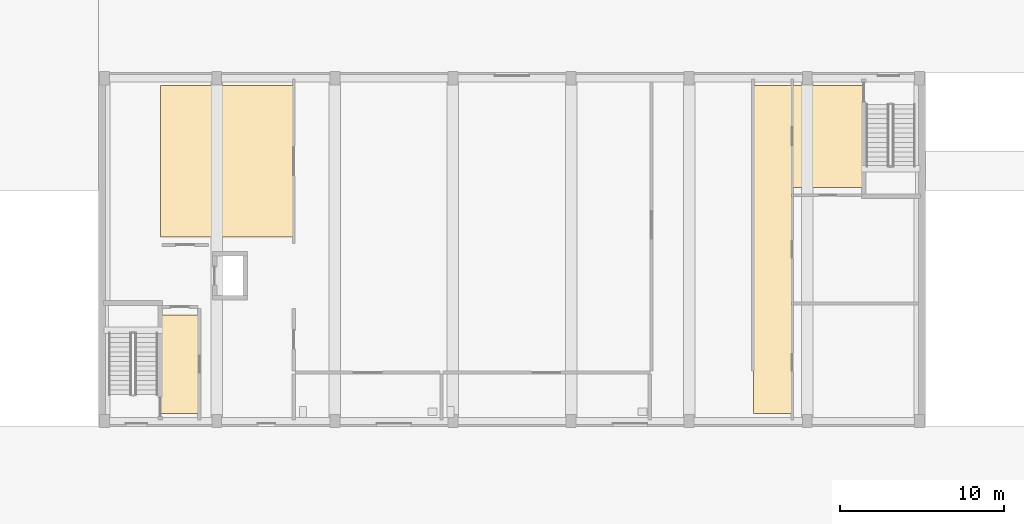
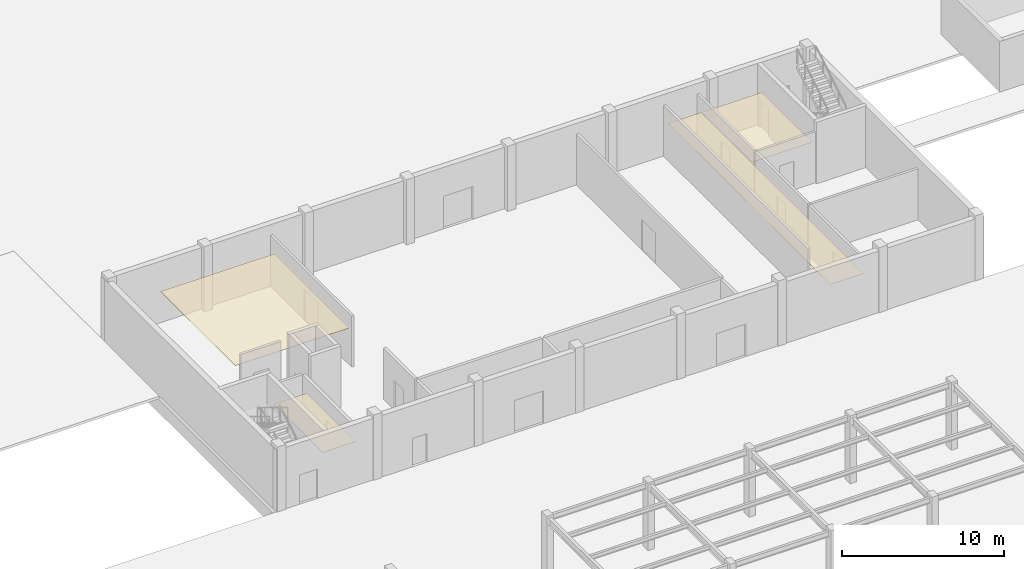
# One storey, part 66 of 85: 4 coverings.
"""IFC4 building model written with IfcOpenShell, lengths in metres."""

from ifc_helpers import new_model, si_unit, derived_unit, direction, frame, origin, place, context, subcontext, project, spatial, polyline, outline, extrude, material, layer, layer_set, type_object, element, save


model = new_model("IFC4")

# Units and contexts
model_context = context("Model", 3, precision=1e-05, world=origin(), true_north=direction((0.0, 1.0)))
body_context = subcontext(model_context, "Body", "Model", "MODEL_VIEW")
ifc_project = project(units=[si_unit("LENGTHUNIT", "METRE"), si_unit("AREAUNIT", "SQUARE_METRE"), si_unit("VOLUMEUNIT", "CUBIC_METRE"), si_unit("PLANEANGLEUNIT", "RADIAN"), si_unit("MASSUNIT", "GRAM", prefix="KILO"), derived_unit("THERMALTRANSMITTANCEUNIT", [(si_unit("MASSUNIT", "GRAM", prefix="KILO"), 1), (si_unit("TIMEUNIT", "SECOND"), -3), (si_unit("THERMODYNAMICTEMPERATUREUNIT", "KELVIN"), -1)])], contexts=[model_context])

# Site, building, storey
site_placement = place(None, origin())
site = spatial("IfcSite", under=ifc_project, at=site_placement, CompositionType="ELEMENT")
building_placement = place(site_placement, origin())
building = spatial("IfcBuilding", under=site, at=building_placement, Name="Ochrekiln Boulevard Commons", CompositionType="ELEMENT")
storey_placement = place(building_placement, origin())
storey = spatial("IfcBuildingStorey", under=building, at=storey_placement, Name="L00", CompositionType="ELEMENT", Elevation=0.0)

# Coverings
ifc_material = material(Name="Mineral-fibre acoustic ceiling tile")
ifc_layer = layer(ifc_material, 0.02490234375)
ifc_layer_set = layer_set([ifc_layer], Name="Mineral-fibre acoustic ceiling tile")
covering_type = type_object("IfcCoveringType", Name="COV-CEIL-AC", PredefinedType="CEILING", material=ifc_layer_set)
covering_1_placement = place(storey_placement, frame((0.0, 0.0, 2.64990234375)))
element("IfcCovering", 1, at=covering_1_placement, inside=storey, type_object=covering_type, Name="L00 Acoustic Corridor Ceiling 5", PredefinedType="CEILING", context=body_context, shape_type="SweptSolid", body=[
    extrude(outline(polyline([(61.3701171875, 36.800048828125), (63.72998046875, 36.800048828125), (63.72998046875, 42.820068359375), (61.3701171875, 42.820068359375), (61.3701171875, 36.800048828125)])), origin(), (0.0, 0.0, 1.0), 0.025146484375),
])
covering_2_placement = place(storey_placement, frame((0.0, 0.0, 2.64990234375)))
element("IfcCovering", 2, at=covering_2_placement, inside=storey, type_object=covering_type, Name="L00 Acoustic Corridor Ceiling 6", PredefinedType="CEILING", context=body_context, shape_type="SweptSolid", body=[
    extrude(outline(polyline([(61.3701171875, 47.580078125), (69.47998046875, 47.580078125), (69.47998046875, 56.800048828125), (61.3701171875, 56.800048828125), (61.3701171875, 47.580078125)])), origin(), (0.0, 0.0, 1.0), 0.025146484375),
])
covering_3_placement = place(storey_placement, frame((0.0, 0.0, 2.64990234375)))
element("IfcCovering", 3, at=covering_3_placement, inside=storey, type_object=covering_type, Name="L00 Acoustic Corridor Ceiling 7", PredefinedType="CEILING", context=body_context, shape_type="SweptSolid", body=[
    extrude(outline(polyline([(97.52001953125, 36.800048828125), (99.8798828125, 36.800048828125), (99.8798828125, 56.800048828125), (97.52001953125, 56.800048828125), (97.52001953125, 36.800048828125)])), origin(), (0.0, 0.0, 1.0), 0.025146484375),
])
covering_4_placement = place(storey_placement, frame((0.0, 0.0, 2.64990234375)))
element("IfcCovering", 4, at=covering_4_placement, inside=storey, type_object=covering_type, Name="L00 Acoustic Corridor Ceiling 8", PredefinedType="CEILING", context=body_context, shape_type="SweptSolid", body=[
    extrude(outline(polyline([(99.89990234375, 50.60009765625), (104.22998046875, 50.60009765625), (104.22998046875, 56.800048828125), (99.89990234375, 56.800048828125), (99.89990234375, 50.60009765625)])), origin(), (0.0, 0.0, 1.0), 0.025146484375),
])

save(model, "model.ifc")
